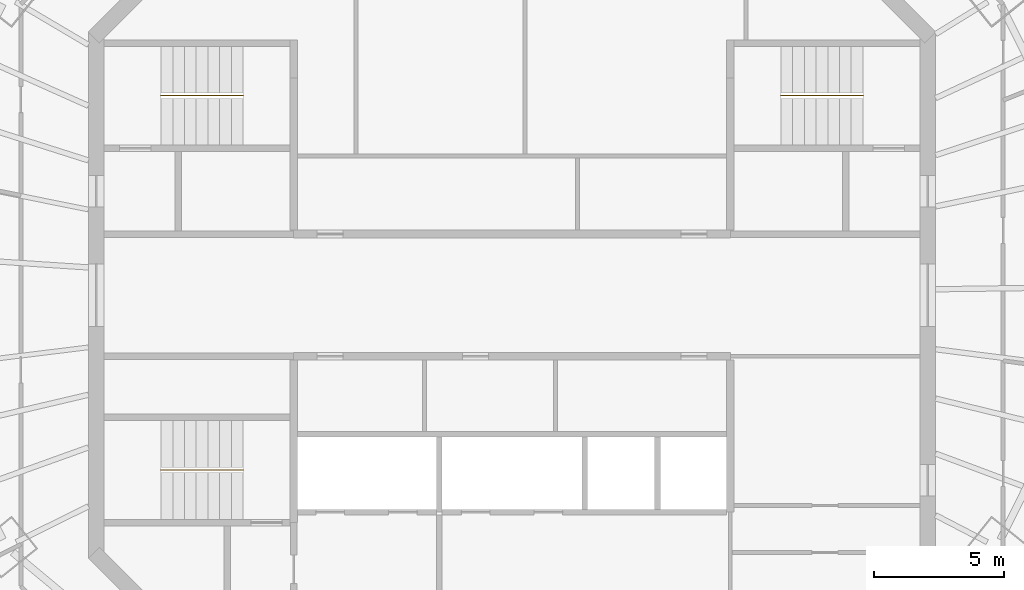
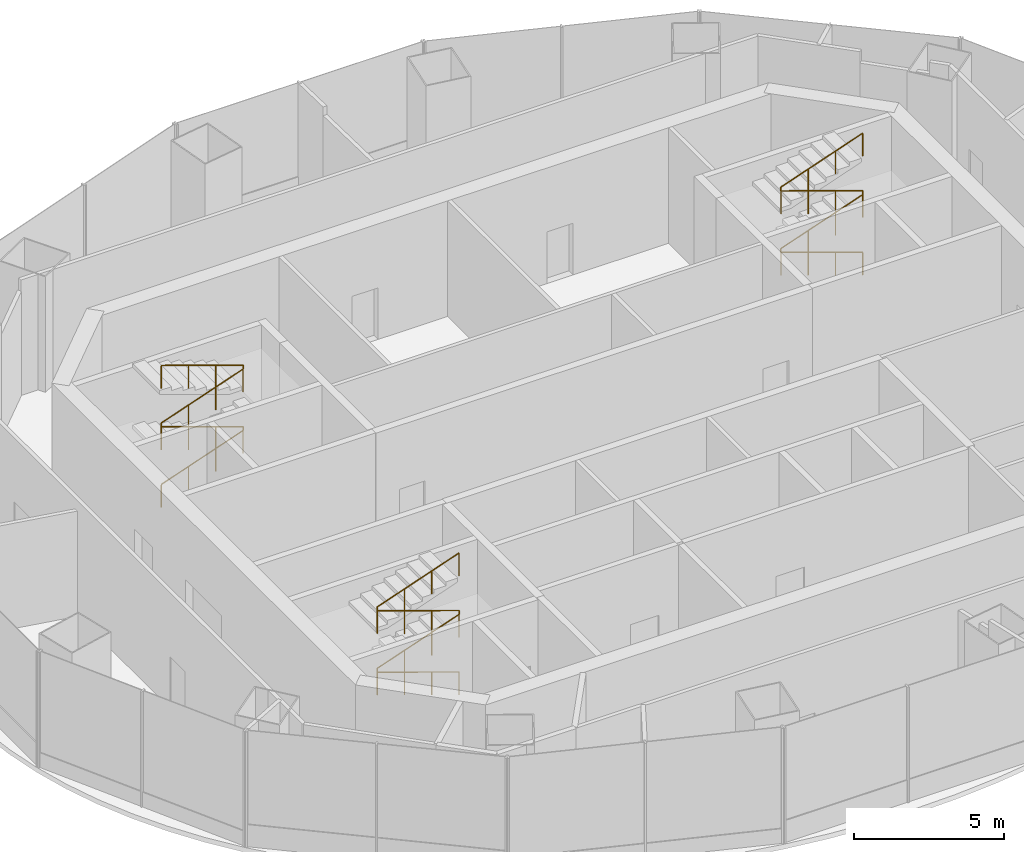
# One storey, part 11 of 11: 3 railings.
"""IFC4 building model written with IfcOpenShell, lengths in metres."""

import ifcopenshell
import ifcopenshell.guid

model = None  # the IFC model being written
_history = None  # IfcOwnerHistory: only IFC2X3 demands one
_inside = {}  # id of a spatial element -> (the spatial element, [elements in it])
_under = {}  # id of a project, library or spatial element -> (it, [spatial elements below it])
_declared = {}  # id of a project -> (the project, [libraries it declares])
_typed = {}  # id of a type object -> (the type object, [elements of that type])
_made_of = {}  # id of a material, layer set ... -> (it, [elements and type objects made of it])


def new_model(schema):
    """Start an empty IFC model of exactly this schema.

    Asked for "IFC4X3", IfcOpenShell would pick the latest addendum, in which some entities
    have other attributes; the version numbers below select the first issue.
    IFC2X3 requires an IfcOwnerHistory on every rooted entity: one is made here for all.
    """
    global model, _history
    if schema == "IFC4X3":
        model = ifcopenshell.file(schema_version=(4, 3, 0, 0))
    else:
        model = ifcopenshell.file(schema=schema)
    _inside.clear()
    _under.clear()
    _declared.clear()
    _typed.clear()
    _made_of.clear()
    _history = None
    if model.schema == "IFC2X3":
        org = make("IfcOrganization", Name="unknown")
        user = make(
            "IfcPersonAndOrganization",
            ThePerson=make("IfcPerson", FamilyName="unknown"),
            TheOrganization=org,
        )
        app = make(
            "IfcApplication",
            ApplicationDeveloper=org,
            Version="unknown",
            ApplicationFullName="unknown",
            ApplicationIdentifier="unknown",
        )
        _history = make(
            "IfcOwnerHistory",
            OwningUser=user,
            OwningApplication=app,
            ChangeAction="ADDED",
            CreationDate=0,
        )
    return model


def make(cls, **values):
    """One entity of the class cls with the attributes given. An attribute that is None is left unset."""
    return model.create_entity(
        cls, **{name: value for name, value in values.items() if value is not None}
    )


def rooted(cls, **values):
    """An entity with a GlobalId (a new one), such as an element, a storey or a relation."""
    return make(cls, GlobalId=ifcopenshell.guid.new(), OwnerHistory=_history, **values)


def si_unit(unit_type, name, prefix=None):
    """IfcSIUnit, for example si_unit("LENGTHUNIT", "METRE", prefix="MILLI")."""
    return make("IfcSIUnit", UnitType=unit_type, Prefix=prefix, Name=name)


def assignment(units):
    """IfcUnitAssignment: the units of a project."""
    return None if units is None else make("IfcUnitAssignment", Units=units)


def point(xyz):
    """IfcCartesianPoint."""
    return None if xyz is None else make("IfcCartesianPoint", Coordinates=xyz)


def direction(xyz):
    """IfcDirection."""
    return None if xyz is None else make("IfcDirection", DirectionRatios=xyz)


def frame(location, z_axis=None, x_axis=None):
    """IfcAxis2Placement3D, a coordinate frame: its origin and axes. An axis left out is left unset."""
    return make(
        "IfcAxis2Placement3D",
        Location=point(location),
        Axis=direction(z_axis),
        RefDirection=direction(x_axis),
    )


def frame_2d(location, x_axis=None):
    """IfcAxis2Placement2D, a coordinate frame in the plane: its origin and x axis."""
    return make(
        "IfcAxis2Placement2D", Location=point(location), RefDirection=direction(x_axis)
    )


def origin():
    """The frame at (0, 0, 0) with its axes left unset."""
    return frame((0.0, 0.0, 0.0))


def origin_2d():
    """The frame at (0, 0) in the plane with its x axis left unset."""
    return frame_2d((0.0, 0.0))


def place(relative_to, where):
    """IfcLocalPlacement: puts the frame where relative to a parent placement (None: the world)."""
    return make(
        "IfcLocalPlacement", PlacementRelTo=relative_to, RelativePlacement=where
    )


def context(
    kind, dimensions, precision=None, world=None, true_north=None, identifier=None
):
    """IfcGeometricRepresentationContext, for example the 3D "Model" context."""
    return make(
        "IfcGeometricRepresentationContext",
        ContextIdentifier=identifier,
        ContextType=kind,
        CoordinateSpaceDimension=dimensions,
        Precision=precision,
        WorldCoordinateSystem=world,
        TrueNorth=true_north,
    )


def subcontext(parent, identifier, kind, view, scale=None):
    """IfcGeometricRepresentationSubContext, for example "Body" below "Model"."""
    return make(
        "IfcGeometricRepresentationSubContext",
        ContextIdentifier=identifier,
        ContextType=kind,
        ParentContext=parent,
        TargetScale=scale,
        TargetView=view,
    )


def project(units=None, contexts=None):
    """IfcProject with its units and contexts."""
    return rooted(
        "IfcProject",
        Name="project",
        RepresentationContexts=contexts,
        UnitsInContext=assignment(units),
    )


def spatial(cls, under=None, at=None, **own):
    """A site, building, storey or space (cls), placed at a placement, below another one or the project."""
    s = rooted(cls, ObjectPlacement=at, **own)
    if under is not None:
        _under.setdefault(under.id(), (under, []))[1].append(s)
    return s


def profile(cls, at=None, kind="AREA", **sizes):
    """A parametric profile (cls). Its sizes go by their IFC names, for example OverallWidth=200.0."""
    return make(cls, ProfileType=kind, Position=at, **sizes)


def circle(**sizes):
    """IfcCircleProfileDef."""
    return profile("IfcCircleProfileDef", **sizes)


def extrude(swept, where, along, depth):
    """IfcExtrudedAreaSolid: the profile swept, set in the frame where, extruded along a direction by depth."""
    return make(
        "IfcExtrudedAreaSolid",
        SweptArea=swept,
        Position=where,
        ExtrudedDirection=direction(along),
        Depth=depth,
    )


def shape(context_of_items, identifier, shape_type, items):
    """IfcShapeRepresentation: the items that make up one representation, for example the "Body"."""
    return make(
        "IfcShapeRepresentation",
        ContextOfItems=context_of_items,
        RepresentationIdentifier=identifier,
        RepresentationType=shape_type,
        Items=items,
    )


def material(Name=None, Category=None):
    """IfcMaterial."""
    return make("IfcMaterial", Name=Name, Category=Category)


def made_of(thing, what):
    """Note that an element or type object is made of a material, layer set ...; save() writes the relation."""
    if what is not None:
        _made_of.setdefault(what.id(), (what, []))[1].append(thing)
    return thing


def type_object(cls, material=None, **own):
    """A type object (cls), such as IfcWallType, which elements share."""
    return made_of(rooted(cls, **own), material)


def element(
    cls,
    number,
    at=None,
    inside=None,
    cuts=None,
    type_object=None,
    material=None,
    context=None,
    identifier="Body",
    shape_type=None,
    held_by="IfcProductDefinitionShape",
    body=None,
    shapes=None,
    **own,
):
    """One element of the class cls, such as IfcWall. Its Tag is "e" and its number.

    at: its placement. inside: the storey or other place that contains it. cuts: it is an
    opening in that element (IfcRelVoidsElement). A single representation is given by context,
    identifier, shape_type and body (its items); several are given by shapes. held_by: the class
    of the entity that holds the representations. save() writes the other relations.
    """
    e = rooted(cls, Tag="e%d" % number, ObjectPlacement=at, **own)
    if body is not None:
        shapes = [shape(context, identifier, shape_type, body)]
    if shapes is not None:
        e.Representation = make(held_by, Representations=shapes)
    if inside is not None:
        _inside.setdefault(inside.id(), (inside, []))[1].append(e)
    if cuts is not None:
        rooted(
            "IfcRelVoidsElement", RelatingBuildingElement=cuts, RelatedOpeningElement=e
        )
    if type_object is not None:
        _typed.setdefault(type_object.id(), (type_object, []))[1].append(e)
    return made_of(e, material)


def aggregate(whole, parts):
    """IfcRelAggregates: a whole, such as a stair, and the parts it consists of."""
    return rooted("IfcRelAggregates", RelatingObject=whole, RelatedObjects=parts)


def save(model, path):
    """Write the relations noted so far, then the file.

    IfcRelAggregates (storeys below a building ...), IfcRelContainedInSpatialStructure (elements
    in a storey), IfcRelDefinesByType, IfcRelAssociatesMaterial and IfcRelDeclares: one each for
    every whole, place, type object, material and project.
    """
    for whole, parts in _under.values():
        aggregate(whole, parts)
    for where, things in _inside.values():
        rooted(
            "IfcRelContainedInSpatialStructure",
            RelatedElements=things,
            RelatingStructure=where,
        )
    for kind, things in _typed.values():
        rooted("IfcRelDefinesByType", RelatedObjects=things, RelatingType=kind)
    for what, things in _made_of.values():
        rooted("IfcRelAssociatesMaterial", RelatedObjects=things, RelatingMaterial=what)
    for by, libraries in _declared.values():
        rooted("IfcRelDeclares", RelatingContext=by, RelatedDefinitions=libraries)
    model.write(path)


model = new_model("IFC4")

# Units and contexts
model_context = context("Model", 3, precision=1e-05, world=origin(), true_north=direction((0.0, 1.0)))
body_context = subcontext(model_context, "Body", "Model", "MODEL_VIEW")
ifc_project = project(units=[si_unit("LENGTHUNIT", "METRE"), si_unit("AREAUNIT", "SQUARE_METRE"), si_unit("VOLUMEUNIT", "CUBIC_METRE"), si_unit("PLANEANGLEUNIT", "RADIAN"), si_unit("MASSUNIT", "GRAM", prefix="KILO")], contexts=[model_context])

# Site, building, storey
site_placement = place(None, origin())
site = spatial("IfcSite", under=ifc_project, at=site_placement, CompositionType="ELEMENT")
building_placement = place(site_placement, origin())
building = spatial("IfcBuilding", under=site, at=building_placement, Name="Marenthal Gate Tower", CompositionType="ELEMENT")
storey_placement = place(building_placement, frame((0.0, 0.0, 418.550048828125)))
storey = spatial("IfcBuildingStorey", under=building, at=storey_placement, Name="L94", CompositionType="ELEMENT", Elevation=418.550048828125)

# Railings
ifc_material = material(Name="Stainless steel", Category="steel")
railing_type = type_object("IfcRailingType", Name="Stair handrail", PredefinedType="HANDRAIL", material=ifc_material)
railing_1_placement = place(storey_placement, frame((-13.5, 7.675048828125, 0.15625)))
element("IfcRailing", 1, at=railing_1_placement, inside=storey, type_object=railing_type, Name="Handrail ST1", PredefinedType="HANDRAIL", context=body_context, shape_type="SweptSolid", body=[
    extrude(circle(Radius=0.0224609375, at=origin_2d()), frame((0.0, 0.0, 0.927490234375), z_axis=(0.944670513093, 0.0, 0.328020764118), x_axis=(0.0, 1.0, 0.0)), (0.0, 0.0, 1.0), 3.33447265625),
    extrude(circle(Radius=0.0224609375, at=origin_2d()), frame((3.14990234375, 0.0, 2.021240234375), z_axis=(0.0, 0.0, 1.0), x_axis=(1.0, 0.0, 0.0)), (0.0, 0.0, 1.0), 0.15625),
    extrude(circle(Radius=0.0224609375, at=origin_2d()), frame((3.14990234375, 0.0, 2.177490234375), z_axis=(-0.944670513093, 0.0, 0.328020764118), x_axis=(0.0, -1.0, 0.0)), (0.0, 0.0, 1.0), 3.33447265625),
    extrude(circle(Radius=0.0224609375, at=origin_2d()), frame((0.0, 0.0, 3.271240234375), z_axis=(0.0, 0.0, 1.0), x_axis=(1.0, 0.0, 0.0)), (0.0, 0.0, 1.0), 0.15625),
    extrude(circle(Radius=0.0224609375, at=origin_2d()), frame((0.0, 0.0, 3.427490234375), z_axis=(0.944670513093, 0.0, 0.328020764118), x_axis=(0.0, 1.0, 0.0)), (0.0, 0.0, 1.0), 3.33447265625),
    extrude(circle(Radius=0.0224609375, at=origin_2d()), frame((3.14990234375, 0.0, 4.521240234375), z_axis=(0.0, 0.0, 1.0), x_axis=(1.0, 0.0, 0.0)), (0.0, 0.0, 1.0), 0.15625),
    extrude(circle(Radius=0.0224609375, at=origin_2d()), frame((3.14990234375, 0.0, 4.677490234375), z_axis=(-0.944670513093, 0.0, 0.328020764118), x_axis=(0.0, -1.0, 0.0)), (0.0, 0.0, 1.0), 3.33447265625),
    extrude(circle(Radius=0.02001953125, at=origin_2d()), origin(), (0.0, 0.0, 1.0), 0.905029296875),
    extrude(circle(Radius=0.02001953125, at=origin_2d()), frame((1.050048828125, 0.0, 0.364501953125)), (0.0, 0.0, 1.0), 0.905029296875),
    extrude(circle(Radius=0.02001953125, at=origin_2d()), frame((2.099853515625, 0.0, 0.729248046875)), (0.0, 0.0, 1.0), 0.905029296875),
    extrude(circle(Radius=0.02001953125, at=origin_2d()), frame((3.14990234375, 0.0, 1.09375)), (0.0, 0.0, 1.0), 0.905029296875),
    extrude(circle(Radius=0.02001953125, at=origin_2d()), frame((3.14990234375, 0.0, 1.25)), (0.0, 0.0, 1.0), 0.905029296875),
    extrude(circle(Radius=0.02001953125, at=origin_2d()), frame((2.099853515625, 0.0, 1.614501953125)), (0.0, 0.0, 1.0), 0.905029296875),
    extrude(circle(Radius=0.02001953125, at=origin_2d()), frame((1.050048828125, 0.0, 1.979248046875)), (0.0, 0.0, 1.0), 0.905029296875),
    extrude(circle(Radius=0.02001953125, at=origin_2d()), frame((0.0, 0.0, 2.34375)), (0.0, 0.0, 1.0), 0.905029296875),
    extrude(circle(Radius=0.02001953125, at=origin_2d()), frame((0.0, 0.0, 2.5)), (0.0, 0.0, 1.0), 0.905029296875),
    extrude(circle(Radius=0.02001953125, at=origin_2d()), frame((1.050048828125, 0.0, 2.864501953125)), (0.0, 0.0, 1.0), 0.905029296875),
    extrude(circle(Radius=0.02001953125, at=origin_2d()), frame((2.099853515625, 0.0, 3.229248046875)), (0.0, 0.0, 1.0), 0.905029296875),
    extrude(circle(Radius=0.02001953125, at=origin_2d()), frame((3.14990234375, 0.0, 3.59375)), (0.0, 0.0, 1.0), 0.905029296875),
    extrude(circle(Radius=0.02001953125, at=origin_2d()), frame((3.14990234375, 0.0, 3.75)), (0.0, 0.0, 1.0), 0.905029296875),
    extrude(circle(Radius=0.02001953125, at=origin_2d()), frame((2.099853515625, 0.0, 4.114501953125)), (0.0, 0.0, 1.0), 0.905029296875),
    extrude(circle(Radius=0.02001953125, at=origin_2d()), frame((1.050048828125, 0.0, 4.479248046875)), (0.0, 0.0, 1.0), 0.905029296875),
    extrude(circle(Radius=0.02001953125, at=origin_2d()), frame((0.0, 0.0, 4.84375)), (0.0, 0.0, 1.0), 0.905029296875),
])
railing_2_placement = place(storey_placement, frame((-10.35009765625, -6.72509765625, 0.15625)))
element("IfcRailing", 2, at=railing_2_placement, inside=storey, type_object=railing_type, Name="Handrail ST2", PredefinedType="HANDRAIL", context=body_context, shape_type="SweptSolid", body=[
    extrude(circle(Radius=0.0224609375, at=origin_2d()), frame((0.0, 0.0, 0.927490234375), z_axis=(-0.944670513093, 0.0, 0.328020764118), x_axis=(0.0, -1.0, 0.0)), (0.0, 0.0, 1.0), 3.33447265625),
    extrude(circle(Radius=0.0224609375, at=origin_2d()), frame((-3.14990234375, 0.0, 2.021240234375), z_axis=(0.0, 0.0, 1.0), x_axis=(1.0, 0.0, 0.0)), (0.0, 0.0, 1.0), 0.15625),
    extrude(circle(Radius=0.0224609375, at=origin_2d()), frame((-3.14990234375, 0.0, 2.177490234375), z_axis=(0.944670513093, 0.0, 0.328020764118), x_axis=(0.0, 1.0, 0.0)), (0.0, 0.0, 1.0), 3.33447265625),
    extrude(circle(Radius=0.0224609375, at=origin_2d()), frame((0.0, 0.0, 3.271240234375), z_axis=(0.0, 0.0, 1.0), x_axis=(1.0, 0.0, 0.0)), (0.0, 0.0, 1.0), 0.15625),
    extrude(circle(Radius=0.0224609375, at=origin_2d()), frame((0.0, 0.0, 3.427490234375), z_axis=(-0.944670513093, 0.0, 0.328020764118), x_axis=(0.0, -1.0, 0.0)), (0.0, 0.0, 1.0), 3.33447265625),
    extrude(circle(Radius=0.0224609375, at=origin_2d()), frame((-3.14990234375, 0.0, 4.521240234375), z_axis=(0.0, 0.0, 1.0), x_axis=(1.0, 0.0, 0.0)), (0.0, 0.0, 1.0), 0.15625),
    extrude(circle(Radius=0.0224609375, at=origin_2d()), frame((-3.14990234375, 0.0, 4.677490234375), z_axis=(0.944670513093, 0.0, 0.328020764118), x_axis=(0.0, 1.0, 0.0)), (0.0, 0.0, 1.0), 3.33447265625),
    extrude(circle(Radius=0.02001953125, at=origin_2d()), origin(), (0.0, 0.0, 1.0), 0.905029296875),
    extrude(circle(Radius=0.02001953125, at=origin_2d()), frame((-1.050048828125, 0.0, 0.364501953125)), (0.0, 0.0, 1.0), 0.905029296875),
    extrude(circle(Radius=0.02001953125, at=origin_2d()), frame((-2.099853515625, 0.0, 0.729248046875)), (0.0, 0.0, 1.0), 0.905029296875),
    extrude(circle(Radius=0.02001953125, at=origin_2d()), frame((-3.14990234375, 0.0, 1.09375)), (0.0, 0.0, 1.0), 0.905029296875),
    extrude(circle(Radius=0.02001953125, at=origin_2d()), frame((-3.14990234375, 0.0, 1.25)), (0.0, 0.0, 1.0), 0.905029296875),
    extrude(circle(Radius=0.02001953125, at=origin_2d()), frame((-2.099853515625, 0.0, 1.614501953125)), (0.0, 0.0, 1.0), 0.905029296875),
    extrude(circle(Radius=0.02001953125, at=origin_2d()), frame((-1.050048828125, 0.0, 1.979248046875)), (0.0, 0.0, 1.0), 0.905029296875),
    extrude(circle(Radius=0.02001953125, at=origin_2d()), frame((0.0, 0.0, 2.34375)), (0.0, 0.0, 1.0), 0.905029296875),
    extrude(circle(Radius=0.02001953125, at=origin_2d()), frame((0.0, 0.0, 2.5)), (0.0, 0.0, 1.0), 0.905029296875),
    extrude(circle(Radius=0.02001953125, at=origin_2d()), frame((-1.050048828125, 0.0, 2.864501953125)), (0.0, 0.0, 1.0), 0.905029296875),
    extrude(circle(Radius=0.02001953125, at=origin_2d()), frame((-2.099853515625, 0.0, 3.229248046875)), (0.0, 0.0, 1.0), 0.905029296875),
    extrude(circle(Radius=0.02001953125, at=origin_2d()), frame((-3.14990234375, 0.0, 3.59375)), (0.0, 0.0, 1.0), 0.905029296875),
    extrude(circle(Radius=0.02001953125, at=origin_2d()), frame((-3.14990234375, 0.0, 3.75)), (0.0, 0.0, 1.0), 0.905029296875),
    extrude(circle(Radius=0.02001953125, at=origin_2d()), frame((-2.099853515625, 0.0, 4.114501953125)), (0.0, 0.0, 1.0), 0.905029296875),
    extrude(circle(Radius=0.02001953125, at=origin_2d()), frame((-1.050048828125, 0.0, 4.479248046875)), (0.0, 0.0, 1.0), 0.905029296875),
    extrude(circle(Radius=0.02001953125, at=origin_2d()), frame((0.0, 0.0, 4.84375)), (0.0, 0.0, 1.0), 0.905029296875),
])
railing_3_placement = place(storey_placement, frame((13.5, 7.675048828125, 0.15625)))
element("IfcRailing", 3, at=railing_3_placement, inside=storey, type_object=railing_type, Name="Handrail ST3", PredefinedType="HANDRAIL", context=body_context, shape_type="SweptSolid", body=[
    extrude(circle(Radius=0.0224609375, at=origin_2d()), frame((0.0, 0.0, 0.927490234375), z_axis=(-0.944670513093, 0.0, 0.328020764118), x_axis=(0.0, -1.0, 0.0)), (0.0, 0.0, 1.0), 3.33447265625),
    extrude(circle(Radius=0.0224609375, at=origin_2d()), frame((-3.14990234375, 0.0, 2.021240234375), z_axis=(0.0, 0.0, 1.0), x_axis=(1.0, 0.0, 0.0)), (0.0, 0.0, 1.0), 0.15625),
    extrude(circle(Radius=0.0224609375, at=origin_2d()), frame((-3.14990234375, 0.0, 2.177490234375), z_axis=(0.944670513093, 0.0, 0.328020764118), x_axis=(0.0, 1.0, 0.0)), (0.0, 0.0, 1.0), 3.33447265625),
    extrude(circle(Radius=0.0224609375, at=origin_2d()), frame((0.0, 0.0, 3.271240234375), z_axis=(0.0, 0.0, 1.0), x_axis=(1.0, 0.0, 0.0)), (0.0, 0.0, 1.0), 0.15625),
    extrude(circle(Radius=0.0224609375, at=origin_2d()), frame((0.0, 0.0, 3.427490234375), z_axis=(-0.944670513093, 0.0, 0.328020764118), x_axis=(0.0, -1.0, 0.0)), (0.0, 0.0, 1.0), 3.33447265625),
    extrude(circle(Radius=0.0224609375, at=origin_2d()), frame((-3.14990234375, 0.0, 4.521240234375), z_axis=(0.0, 0.0, 1.0), x_axis=(1.0, 0.0, 0.0)), (0.0, 0.0, 1.0), 0.15625),
    extrude(circle(Radius=0.0224609375, at=origin_2d()), frame((-3.14990234375, 0.0, 4.677490234375), z_axis=(0.944670513093, 0.0, 0.328020764118), x_axis=(0.0, 1.0, 0.0)), (0.0, 0.0, 1.0), 3.33447265625),
    extrude(circle(Radius=0.02001953125, at=origin_2d()), origin(), (0.0, 0.0, 1.0), 0.905029296875),
    extrude(circle(Radius=0.02001953125, at=origin_2d()), frame((-1.050048828125, 0.0, 0.364501953125)), (0.0, 0.0, 1.0), 0.905029296875),
    extrude(circle(Radius=0.02001953125, at=origin_2d()), frame((-2.099853515625, 0.0, 0.729248046875)), (0.0, 0.0, 1.0), 0.905029296875),
    extrude(circle(Radius=0.02001953125, at=origin_2d()), frame((-3.14990234375, 0.0, 1.09375)), (0.0, 0.0, 1.0), 0.905029296875),
    extrude(circle(Radius=0.02001953125, at=origin_2d()), frame((-3.14990234375, 0.0, 1.25)), (0.0, 0.0, 1.0), 0.905029296875),
    extrude(circle(Radius=0.02001953125, at=origin_2d()), frame((-2.099853515625, 0.0, 1.614501953125)), (0.0, 0.0, 1.0), 0.905029296875),
    extrude(circle(Radius=0.02001953125, at=origin_2d()), frame((-1.050048828125, 0.0, 1.979248046875)), (0.0, 0.0, 1.0), 0.905029296875),
    extrude(circle(Radius=0.02001953125, at=origin_2d()), frame((0.0, 0.0, 2.34375)), (0.0, 0.0, 1.0), 0.905029296875),
    extrude(circle(Radius=0.02001953125, at=origin_2d()), frame((0.0, 0.0, 2.5)), (0.0, 0.0, 1.0), 0.905029296875),
    extrude(circle(Radius=0.02001953125, at=origin_2d()), frame((-1.050048828125, 0.0, 2.864501953125)), (0.0, 0.0, 1.0), 0.905029296875),
    extrude(circle(Radius=0.02001953125, at=origin_2d()), frame((-2.099853515625, 0.0, 3.229248046875)), (0.0, 0.0, 1.0), 0.905029296875),
    extrude(circle(Radius=0.02001953125, at=origin_2d()), frame((-3.14990234375, 0.0, 3.59375)), (0.0, 0.0, 1.0), 0.905029296875),
    extrude(circle(Radius=0.02001953125, at=origin_2d()), frame((-3.14990234375, 0.0, 3.75)), (0.0, 0.0, 1.0), 0.905029296875),
    extrude(circle(Radius=0.02001953125, at=origin_2d()), frame((-2.099853515625, 0.0, 4.114501953125)), (0.0, 0.0, 1.0), 0.905029296875),
    extrude(circle(Radius=0.02001953125, at=origin_2d()), frame((-1.050048828125, 0.0, 4.479248046875)), (0.0, 0.0, 1.0), 0.905029296875),
    extrude(circle(Radius=0.02001953125, at=origin_2d()), frame((0.0, 0.0, 4.84375)), (0.0, 0.0, 1.0), 0.905029296875),
])

save(model, "model.ifc")
